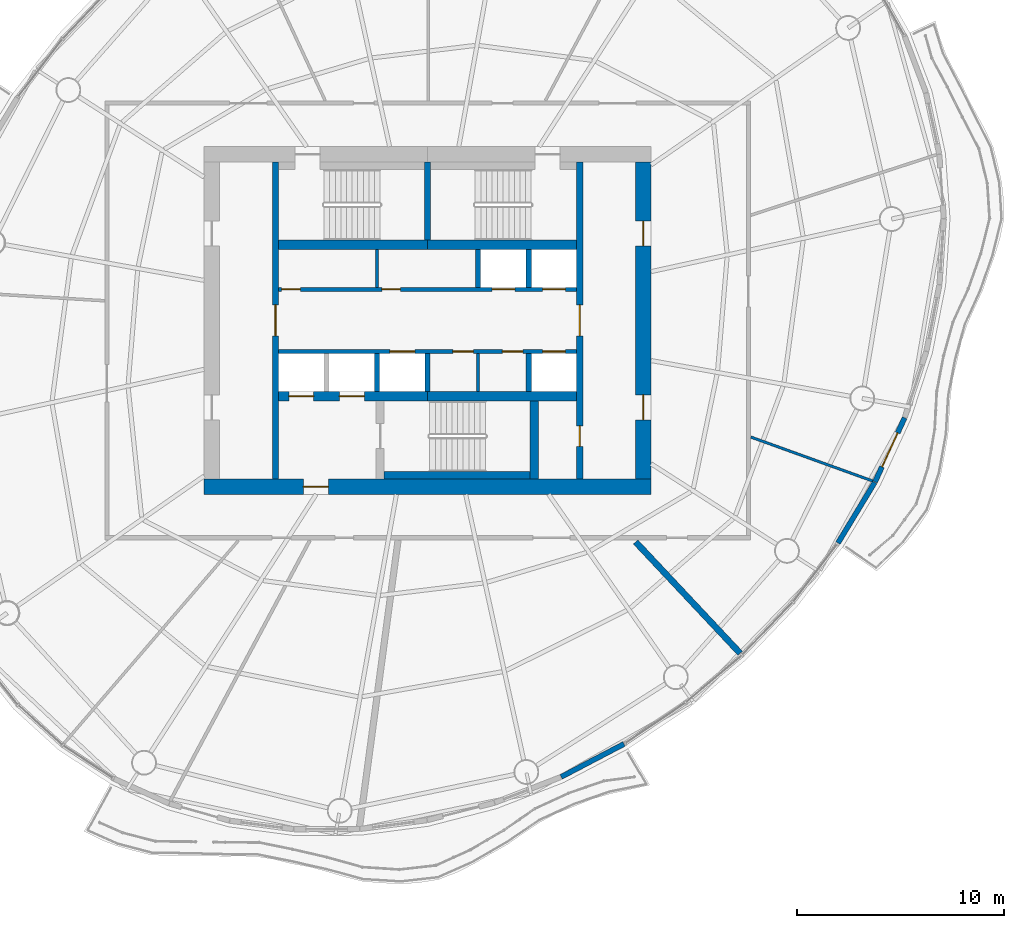
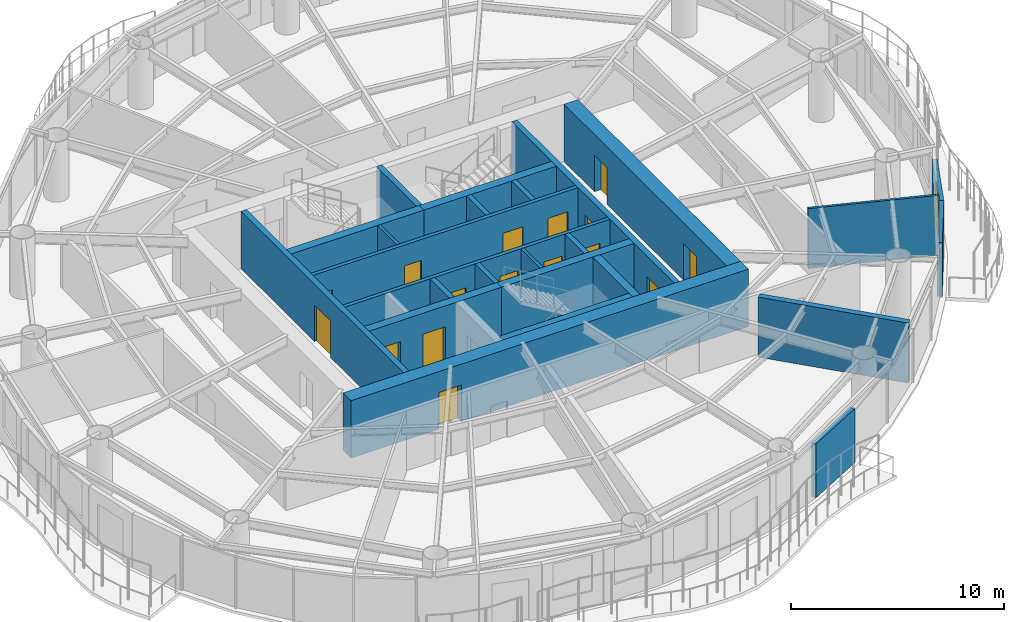
# One storey, part 9 of 14: 25 walls, 17 doors, 17 openings.
"""IFC4 building model written with IfcOpenShell, lengths in metres."""

import ifcopenshell
import ifcopenshell.guid

model = None  # the IFC model being written
_history = None  # IfcOwnerHistory: only IFC2X3 demands one
_inside = {}  # id of a spatial element -> (the spatial element, [elements in it])
_under = {}  # id of a project, library or spatial element -> (it, [spatial elements below it])
_declared = {}  # id of a project -> (the project, [libraries it declares])
_typed = {}  # id of a type object -> (the type object, [elements of that type])
_made_of = {}  # id of a material, layer set ... -> (it, [elements and type objects made of it])


def new_model(schema):
    """Start an empty IFC model of exactly this schema.

    Asked for "IFC4X3", IfcOpenShell would pick the latest addendum, in which some entities
    have other attributes; the version numbers below select the first issue.
    IFC2X3 requires an IfcOwnerHistory on every rooted entity: one is made here for all.
    """
    global model, _history
    if schema == "IFC4X3":
        model = ifcopenshell.file(schema_version=(4, 3, 0, 0))
    else:
        model = ifcopenshell.file(schema=schema)
    _inside.clear()
    _under.clear()
    _declared.clear()
    _typed.clear()
    _made_of.clear()
    _history = None
    if model.schema == "IFC2X3":
        org = make("IfcOrganization", Name="unknown")
        user = make(
            "IfcPersonAndOrganization",
            ThePerson=make("IfcPerson", FamilyName="unknown"),
            TheOrganization=org,
        )
        app = make(
            "IfcApplication",
            ApplicationDeveloper=org,
            Version="unknown",
            ApplicationFullName="unknown",
            ApplicationIdentifier="unknown",
        )
        _history = make(
            "IfcOwnerHistory",
            OwningUser=user,
            OwningApplication=app,
            ChangeAction="ADDED",
            CreationDate=0,
        )
    return model


def make(cls, **values):
    """One entity of the class cls with the attributes given. An attribute that is None is left unset."""
    return model.create_entity(
        cls, **{name: value for name, value in values.items() if value is not None}
    )


def rooted(cls, **values):
    """An entity with a GlobalId (a new one), such as an element, a storey or a relation."""
    return make(cls, GlobalId=ifcopenshell.guid.new(), OwnerHistory=_history, **values)


def si_unit(unit_type, name, prefix=None):
    """IfcSIUnit, for example si_unit("LENGTHUNIT", "METRE", prefix="MILLI")."""
    return make("IfcSIUnit", UnitType=unit_type, Prefix=prefix, Name=name)


def assignment(units):
    """IfcUnitAssignment: the units of a project."""
    return None if units is None else make("IfcUnitAssignment", Units=units)


def point(xyz):
    """IfcCartesianPoint."""
    return None if xyz is None else make("IfcCartesianPoint", Coordinates=xyz)


def direction(xyz):
    """IfcDirection."""
    return None if xyz is None else make("IfcDirection", DirectionRatios=xyz)


def frame(location, z_axis=None, x_axis=None):
    """IfcAxis2Placement3D, a coordinate frame: its origin and axes. An axis left out is left unset."""
    return make(
        "IfcAxis2Placement3D",
        Location=point(location),
        Axis=direction(z_axis),
        RefDirection=direction(x_axis),
    )


def frame_2d(location, x_axis=None):
    """IfcAxis2Placement2D, a coordinate frame in the plane: its origin and x axis."""
    return make(
        "IfcAxis2Placement2D", Location=point(location), RefDirection=direction(x_axis)
    )


def origin():
    """The frame at (0, 0, 0) with its axes left unset."""
    return frame((0.0, 0.0, 0.0))


def place(relative_to, where):
    """IfcLocalPlacement: puts the frame where relative to a parent placement (None: the world)."""
    return make(
        "IfcLocalPlacement", PlacementRelTo=relative_to, RelativePlacement=where
    )


def context(
    kind, dimensions, precision=None, world=None, true_north=None, identifier=None
):
    """IfcGeometricRepresentationContext, for example the 3D "Model" context."""
    return make(
        "IfcGeometricRepresentationContext",
        ContextIdentifier=identifier,
        ContextType=kind,
        CoordinateSpaceDimension=dimensions,
        Precision=precision,
        WorldCoordinateSystem=world,
        TrueNorth=true_north,
    )


def subcontext(parent, identifier, kind, view, scale=None):
    """IfcGeometricRepresentationSubContext, for example "Body" below "Model"."""
    return make(
        "IfcGeometricRepresentationSubContext",
        ContextIdentifier=identifier,
        ContextType=kind,
        ParentContext=parent,
        TargetScale=scale,
        TargetView=view,
    )


def project(units=None, contexts=None):
    """IfcProject with its units and contexts."""
    return rooted(
        "IfcProject",
        Name="project",
        RepresentationContexts=contexts,
        UnitsInContext=assignment(units),
    )


def spatial(cls, under=None, at=None, **own):
    """A site, building, storey or space (cls), placed at a placement, below another one or the project."""
    s = rooted(cls, ObjectPlacement=at, **own)
    if under is not None:
        _under.setdefault(under.id(), (under, []))[1].append(s)
    return s


def profile(cls, at=None, kind="AREA", **sizes):
    """A parametric profile (cls). Its sizes go by their IFC names, for example OverallWidth=200.0."""
    return make(cls, ProfileType=kind, Position=at, **sizes)


def rectangle(**sizes):
    """IfcRectangleProfileDef."""
    return profile("IfcRectangleProfileDef", **sizes)


def extrude(swept, where, along, depth):
    """IfcExtrudedAreaSolid: the profile swept, set in the frame where, extruded along a direction by depth."""
    return make(
        "IfcExtrudedAreaSolid",
        SweptArea=swept,
        Position=where,
        ExtrudedDirection=direction(along),
        Depth=depth,
    )


def shape(context_of_items, identifier, shape_type, items):
    """IfcShapeRepresentation: the items that make up one representation, for example the "Body"."""
    return make(
        "IfcShapeRepresentation",
        ContextOfItems=context_of_items,
        RepresentationIdentifier=identifier,
        RepresentationType=shape_type,
        Items=items,
    )


def material(Name=None, Category=None):
    """IfcMaterial."""
    return make("IfcMaterial", Name=Name, Category=Category)


def layer(
    of_material, thickness, ventilated=None, Name=None, Category=None, Priority=None
):
    """IfcMaterialLayer: one layer of a wall or slab, of a material (None: an air gap)."""
    return make(
        "IfcMaterialLayer",
        Material=of_material,
        LayerThickness=thickness,
        IsVentilated=ventilated,
        Name=Name,
        Category=Category,
        Priority=Priority,
    )


def layer_set(layers, Name=None):
    """IfcMaterialLayerSet."""
    return make("IfcMaterialLayerSet", MaterialLayers=layers, LayerSetName=Name)


def made_of(thing, what):
    """Note that an element or type object is made of a material, layer set ...; save() writes the relation."""
    if what is not None:
        _made_of.setdefault(what.id(), (what, []))[1].append(thing)
    return thing


def type_object(cls, material=None, **own):
    """A type object (cls), such as IfcWallType, which elements share."""
    return made_of(rooted(cls, **own), material)


def element(
    cls,
    number,
    at=None,
    inside=None,
    cuts=None,
    type_object=None,
    material=None,
    context=None,
    identifier="Body",
    shape_type=None,
    held_by="IfcProductDefinitionShape",
    body=None,
    shapes=None,
    **own,
):
    """One element of the class cls, such as IfcWall. Its Tag is "e" and its number.

    at: its placement. inside: the storey or other place that contains it. cuts: it is an
    opening in that element (IfcRelVoidsElement). A single representation is given by context,
    identifier, shape_type and body (its items); several are given by shapes. held_by: the class
    of the entity that holds the representations. save() writes the other relations.
    """
    e = rooted(cls, Tag="e%d" % number, ObjectPlacement=at, **own)
    if body is not None:
        shapes = [shape(context, identifier, shape_type, body)]
    if shapes is not None:
        e.Representation = make(held_by, Representations=shapes)
    if inside is not None:
        _inside.setdefault(inside.id(), (inside, []))[1].append(e)
    if cuts is not None:
        rooted(
            "IfcRelVoidsElement", RelatingBuildingElement=cuts, RelatedOpeningElement=e
        )
    if type_object is not None:
        _typed.setdefault(type_object.id(), (type_object, []))[1].append(e)
    return made_of(e, material)


def fill(opening, filler):
    """IfcRelFillsElement: the door or window that sits in an opening."""
    return rooted(
        "IfcRelFillsElement",
        RelatingOpeningElement=opening,
        RelatedBuildingElement=filler,
    )


def aggregate(whole, parts):
    """IfcRelAggregates: a whole, such as a stair, and the parts it consists of."""
    return rooted("IfcRelAggregates", RelatingObject=whole, RelatedObjects=parts)


def save(model, path):
    """Write the relations noted so far, then the file.

    IfcRelAggregates (storeys below a building ...), IfcRelContainedInSpatialStructure (elements
    in a storey), IfcRelDefinesByType, IfcRelAssociatesMaterial and IfcRelDeclares: one each for
    every whole, place, type object, material and project.
    """
    for whole, parts in _under.values():
        aggregate(whole, parts)
    for where, things in _inside.values():
        rooted(
            "IfcRelContainedInSpatialStructure",
            RelatedElements=things,
            RelatingStructure=where,
        )
    for kind, things in _typed.values():
        rooted("IfcRelDefinesByType", RelatedObjects=things, RelatingType=kind)
    for what, things in _made_of.values():
        rooted("IfcRelAssociatesMaterial", RelatedObjects=things, RelatingMaterial=what)
    for by, libraries in _declared.values():
        rooted("IfcRelDeclares", RelatingContext=by, RelatedDefinitions=libraries)
    model.write(path)


model = new_model("IFC4")

# Units and contexts
model_context = context("Model", 3, precision=1e-05, world=origin(), true_north=direction((0.0, 1.0)))
body_context = subcontext(model_context, "Body", "Model", "MODEL_VIEW")
ifc_project = project(units=[si_unit("LENGTHUNIT", "METRE"), si_unit("AREAUNIT", "SQUARE_METRE"), si_unit("VOLUMEUNIT", "CUBIC_METRE"), si_unit("PLANEANGLEUNIT", "RADIAN"), si_unit("MASSUNIT", "GRAM", prefix="KILO")], contexts=[model_context])

# Site, building, storey
site_placement = place(None, origin())
site = spatial("IfcSite", under=ifc_project, at=site_placement, CompositionType="ELEMENT")
building_placement = place(site_placement, origin())
building = spatial("IfcBuilding", under=site, at=building_placement, Name="Vermilion Reach Broadcast Tower", CompositionType="ELEMENT")
storey_placement = place(building_placement, frame((0.0, 0.0, 206.5)))
storey = spatial("IfcBuildingStorey", under=building, at=storey_placement, Name="L50", CompositionType="ELEMENT", Elevation=206.5)

# Wall, opening, door
ifc_material_1 = material(Name="Concrete C60", Category="concrete")
ifc_layer_1 = layer(ifc_material_1, 0.300048828125)
ifc_layer_set_1 = layer_set([ifc_layer_1], Name="Core inner wall 300 mm Concrete C60")
wall_type_1 = type_object("IfcWallType", Name="Core inner wall 300 mm Concrete C60", PredefinedType="SHEAR", material=ifc_layer_set_1)
wall_1_placement = place(storey_placement, frame((-13.35009765625, 7.64990234375, 0.0), z_axis=(0.0, 0.0, 1.0), x_axis=(0.0, -1.0, 0.0)))
wall_1 = element("IfcWall", 1, at=wall_1_placement, inside=storey, type_object=wall_type_1, Name="L50 core wall ewW", PredefinedType="SHEAR", context=body_context, shape_type="SweptSolid", body=[
    extrude(rectangle(XDim=15.2998046875, YDim=0.300048828125, at=frame_2d((7.64990234375, 0.0))), origin(), (0.0, 0.0, 1.0), 3.300048828125),
])
opening_1_placement = place(wall_1_placement, frame((6.89990234375, 0.0, 0.0)))
opening_1 = element("IfcOpeningElement", 2, at=opening_1_placement, cuts=wall_1, Name="Opening D04", PredefinedType="OPENING", context=body_context, shape_type="SweptSolid", body=[
    extrude(rectangle(XDim=1.5, YDim=2.10009765625, at=frame_2d((0.75, 1.050048828125))), frame((0.0, 0.159912109375, 0.0), z_axis=(0.0, -1.0, 0.0), x_axis=(1.0, 0.0, 0.0)), (0.0, 0.0, 1.0), 0.320068359375),
])
ifc_material_2 = material(Name="Painted steel fire door", Category="steel")
door_type_1 = type_object("IfcDoorType", Name="Lift lobby door 1500 x 2100", OperationType="DOUBLE_DOOR_SINGLE_SWING", PredefinedType="NOTDEFINED", material=ifc_material_2)
door_1_placement = place(opening_1_placement, origin())
door_1 = element("IfcDoor", 3, at=door_1_placement, inside=storey, type_object=door_type_1, Name="L50 band door BW", OperationType="DOUBLE_DOOR_SINGLE_SWING", OverallHeight=2.10009765625, OverallWidth=1.5, PredefinedType="NOTDEFINED", context=body_context, shape_type="SweptSolid", body=[
    extrude(rectangle(XDim=1.5, YDim=2.10009765625, at=frame_2d((0.75, 1.050048828125))), frame((0.0, 0.02490234375, 0.0), z_axis=(0.0, -1.0, 0.0), x_axis=(1.0, 0.0, 0.0)), (0.0, 0.0, 1.0), 0.050048828125),
])
fill(opening_1, door_1)

# Wall, openings, doors
wall_2_placement = place(storey_placement, frame((1.35009765625, -7.64990234375, 0.0), z_axis=(0.0, 0.0, 1.0), x_axis=(0.0, 1.0, 0.0)))
wall_2 = element("IfcWall", 4, at=wall_2_placement, inside=storey, type_object=wall_type_1, Name="L50 core wall ewE", PredefinedType="SHEAR", context=body_context, shape_type="SweptSolid", body=[
    extrude(rectangle(XDim=15.2998046875, YDim=0.300048828125, at=frame_2d((7.64990234375, 0.0))), origin(), (0.0, 0.0, 1.0), 3.300048828125),
])
opening_2_placement = place(wall_2_placement, frame((1.56005859375, 0.0, 0.0)))
opening_2 = element("IfcOpeningElement", 5, at=opening_2_placement, cuts=wall_2, Name="Opening D05", PredefinedType="OPENING", context=body_context, shape_type="SweptSolid", body=[
    extrude(rectangle(XDim=1.0, YDim=2.10009765625, at=frame_2d((0.5, 1.050048828125))), frame((0.0, 0.159912109375, 0.0), z_axis=(0.0, -1.0, 0.0), x_axis=(1.0, 0.0, 0.0)), (0.0, 0.0, 1.0), 0.320068359375),
])
opening_3_placement = place(wall_2_placement, frame((6.89990234375, 0.0, 0.0)))
opening_3 = element("IfcOpeningElement", 6, at=opening_3_placement, cuts=wall_2, Name="Opening D04", PredefinedType="OPENING", context=body_context, shape_type="SweptSolid", body=[
    extrude(rectangle(XDim=1.5, YDim=2.10009765625, at=frame_2d((0.75, 1.050048828125))), frame((0.0, 0.159912109375, 0.0), z_axis=(0.0, -1.0, 0.0), x_axis=(1.0, 0.0, 0.0)), (0.0, 0.0, 1.0), 0.320068359375),
])
door_2_placement = place(opening_3_placement, origin())
door_2 = element("IfcDoor", 7, at=door_2_placement, inside=storey, type_object=door_type_1, Name="L50 band door BE", OperationType="DOUBLE_DOOR_SINGLE_SWING", OverallHeight=2.10009765625, OverallWidth=1.5, PredefinedType="NOTDEFINED", context=body_context, shape_type="SweptSolid", body=[
    extrude(rectangle(XDim=1.5, YDim=2.10009765625, at=frame_2d((0.75, 1.050048828125))), frame((0.0, 0.02490234375, 0.0), z_axis=(0.0, -1.0, 0.0), x_axis=(1.0, 0.0, 0.0)), (0.0, 0.0, 1.0), 0.050048828125),
])
fill(opening_3, door_2)
ifc_material_3 = material(Name="Timber door", Category="wood")
door_type_2 = type_object("IfcDoorType", Name="Room door 1000 x 2100", OperationType="NOTDEFINED", PredefinedType="NOTDEFINED", material=ifc_material_3)
door_3_placement = place(opening_2_placement, origin())
door_3 = element("IfcDoor", 8, at=door_3_placement, inside=storey, type_object=door_type_2, Name="L50 door SER", OperationType="SINGLE_SWING_LEFT", OverallHeight=2.10009765625, OverallWidth=1.0, PredefinedType="NOTDEFINED", context=body_context, shape_type="SweptSolid", body=[
    extrude(rectangle(XDim=1.0, YDim=2.10009765625, at=frame_2d((0.5, 1.050048828125))), frame((0.0, 0.02490234375, 0.0), z_axis=(0.0, -1.0, 0.0), x_axis=(1.0, 0.0, 0.0)), (0.0, 0.0, 1.0), 0.050048828125),
])
fill(opening_2, door_3)

# Walls
wall_3_placement = place(storey_placement, frame((-6.0, 3.8798828125, 0.0), z_axis=(0.0, 0.0, 1.0), x_axis=(0.0, 1.0, 0.0)))
element("IfcWall", 9, at=wall_3_placement, inside=storey, type_object=wall_type_1, Name="L50 core wall wc", PredefinedType="SHEAR", context=body_context, shape_type="SweptSolid", body=[
    extrude(rectangle(XDim=3.77001953125, YDim=0.300048828125, at=frame_2d((1.885009765625, 0.0))), origin(), (0.0, 0.0, 1.0), 3.300048828125),
])
ifc_material_4 = material(Name="Concrete C60", Category="concrete")
ifc_layer_2 = layer(ifc_material_4, 0.39990234375)
ifc_layer_set_2 = layer_set([ifc_layer_2], Name="Core inner wall 400 mm Concrete C60")
wall_type_2 = type_object("IfcWallType", Name="Core inner wall 400 mm Concrete C60", PredefinedType="SHEAR", material=ifc_layer_set_2)
wall_4_placement = place(storey_placement, frame((-0.85009765625, -3.8798828125, 0.0), z_axis=(0.0, 0.0, 1.0), x_axis=(0.0, -1.0, 0.0)))
element("IfcWall", 10, at=wall_4_placement, inside=storey, type_object=wall_type_2, Name="L50 core wall wb", PredefinedType="SHEAR", context=body_context, shape_type="SweptSolid", body=[
    extrude(rectangle(XDim=3.77001953125, YDim=0.39990234375, at=frame_2d((1.885009765625, 0.0))), origin(), (0.0, 0.0, 1.0), 3.300048828125),
])
ifc_material_5 = material(Name="Concrete C60", Category="concrete")
ifc_layer_3 = layer(ifc_material_5, 0.449951171875)
ifc_layer_set_3 = layer_set([ifc_layer_3], Name="Core inner wall 450 mm Concrete C60")
wall_type_3 = type_object("IfcWallType", Name="Core inner wall 450 mm Concrete C60", PredefinedType="SHEAR", material=ifc_layer_set_3)
for number, where, z_axis, x_axis, name in (
    (11, (-13.199951171875, 3.655029296875, 0.0), (0.0, 0.0, 1.0), (1.0, 0.0, 0.0), "L50 core wall winW"),
    (12, (-6.0, 3.655029296875, 0.0), (0.0, 0.0, 1.0), (1.0, 0.0, 0.0), "L50 core wall winE"),
):
    element("IfcWall", number, at=place(storey_placement, frame(where, z_axis=z_axis, x_axis=x_axis)), inside=storey, type_object=wall_type_3, Name=name, PredefinedType="SHEAR", context=body_context, shape_type="SweptSolid", body=[
        extrude(rectangle(XDim=7.199951171875, YDim=0.449951171875, at=frame_2d((3.60009765625, 0.0))), origin(), (0.0, 0.0, 1.0), 3.300048828125),
    ])

# Wall, openings, doors
wall_5_placement = place(storey_placement, frame((-13.199951171875, -3.655029296875, 0.0), z_axis=(0.0, 0.0, 1.0), x_axis=(1.0, 0.0, 0.0)))
wall_5 = element("IfcWall", 13, at=wall_5_placement, inside=storey, type_object=wall_type_3, Name="L50 core wall wisW", PredefinedType="SHEAR", context=body_context, shape_type="SweptSolid", body=[
    extrude(rectangle(XDim=7.199951171875, YDim=0.449951171875, at=frame_2d((3.60009765625, 0.0))), origin(), (0.0, 0.0, 1.0), 3.300048828125),
])
opening_4_placement = place(wall_5_placement, frame((0.495849609375, 0.0, 0.0)))
opening_4 = element("IfcOpeningElement", 14, at=opening_4_placement, cuts=wall_5, Name="Opening LD1", PredefinedType="OPENING", context=body_context, shape_type="SweptSolid", body=[
    extrude(rectangle(XDim=1.199951171875, YDim=2.10009765625, at=frame_2d((0.60009765625, 1.050048828125))), frame((0.0, 0.23486328125, 0.0), z_axis=(0.0, -1.0, 0.0), x_axis=(1.0, 0.0, 0.0)), (0.0, 0.0, 1.0), 0.469970703125),
])
opening_5_placement = place(wall_5_placement, frame((2.9375, 0.0, 0.0)))
opening_5 = element("IfcOpeningElement", 15, at=opening_5_placement, cuts=wall_5, Name="Opening LD1", PredefinedType="OPENING", context=body_context, shape_type="SweptSolid", body=[
    extrude(rectangle(XDim=1.199951171875, YDim=2.10009765625, at=frame_2d((0.60009765625, 1.050048828125))), frame((0.0, 0.23486328125, 0.0), z_axis=(0.0, -1.0, 0.0), x_axis=(1.0, 0.0, 0.0)), (0.0, 0.0, 1.0), 0.469970703125),
])
ifc_material_6 = material(Name="Stainless steel", Category="steel")
door_type_3 = type_object("IfcDoorType", Name="Landing door 1200 x 2100", OperationType="DOUBLE_DOOR_SLIDING", PredefinedType="NOTDEFINED", material=ifc_material_6)
door_4_placement = place(opening_4_placement, origin())
door_4 = element("IfcDoor", 16, at=door_4_placement, inside=storey, type_object=door_type_3, Name="L50 landing door FF1", OperationType="DOUBLE_DOOR_SLIDING", OverallHeight=2.10009765625, OverallWidth=1.199951171875, PredefinedType="NOTDEFINED", context=body_context, shape_type="SweptSolid", body=[
    extrude(rectangle(XDim=1.199951171875, YDim=2.10009765625, at=frame_2d((0.60009765625, 1.050048828125))), frame((0.0, 0.02490234375, 0.0), z_axis=(0.0, -1.0, 0.0), x_axis=(1.0, 0.0, 0.0)), (0.0, 0.0, 1.0), 0.050048828125),
])
fill(opening_4, door_4)
door_5_placement = place(opening_5_placement, origin())
door_5 = element("IfcDoor", 17, at=door_5_placement, inside=storey, type_object=door_type_3, Name="L50 landing door FF2", OperationType="DOUBLE_DOOR_SLIDING", OverallHeight=2.10009765625, OverallWidth=1.199951171875, PredefinedType="NOTDEFINED", context=body_context, shape_type="SweptSolid", body=[
    extrude(rectangle(XDim=1.199951171875, YDim=2.10009765625, at=frame_2d((0.60009765625, 1.050048828125))), frame((0.0, 0.02490234375, 0.0), z_axis=(0.0, -1.0, 0.0), x_axis=(1.0, 0.0, 0.0)), (0.0, 0.0, 1.0), 0.050048828125),
])
fill(opening_5, door_5)

# Wall
wall_6_placement = place(storey_placement, frame((-6.0, -3.655029296875, 0.0), z_axis=(0.0, 0.0, 1.0), x_axis=(1.0, 0.0, 0.0)))
element("IfcWall", 18, at=wall_6_placement, inside=storey, type_object=wall_type_3, Name="L50 core wall wisE", PredefinedType="SHEAR", context=body_context, shape_type="SweptSolid", body=[
    extrude(rectangle(XDim=7.199951171875, YDim=0.449951171875, at=frame_2d((3.60009765625, 0.0))), origin(), (0.0, 0.0, 1.0), 3.300048828125),
])

# Wall, opening, door
ifc_material_7 = material(Name="Concrete C60", Category="concrete")
ifc_layer_4 = layer(ifc_material_7, 0.75)
ifc_layer_set_4 = layer_set([ifc_layer_4], Name="Core outer wall 750 mm Concrete C60")
wall_type_4 = type_object("IfcWallType", Name="Core outer wall 750 mm Concrete C60", PredefinedType="SHEAR", material=ifc_layer_set_4)
wall_7_placement = place(storey_placement, frame((-16.800048828125, -8.02490234375, 0.0), z_axis=(0.0, 0.0, 1.0), x_axis=(1.0, 0.0, 0.0)))
wall_7 = element("IfcWall", 19, at=wall_7_placement, inside=storey, type_object=wall_type_4, Name="L50 core wall os", PredefinedType="SHEAR", context=body_context, shape_type="SweptSolid", body=[
    extrude(rectangle(XDim=21.60009765625, YDim=0.75, at=frame_2d((10.800048828125, 0.0))), origin(), (0.0, 0.0, 1.0), 3.300048828125),
])
opening_6_placement = place(wall_7_placement, frame((4.800048828125, 0.0, 0.0)))
opening_6 = element("IfcOpeningElement", 20, at=opening_6_placement, cuts=wall_7, Name="Opening D02", PredefinedType="OPENING", context=body_context, shape_type="SweptSolid", body=[
    extrude(rectangle(XDim=1.199951171875, YDim=2.10009765625, at=frame_2d((0.60009765625, 1.050048828125))), frame((0.0, 0.385009765625, 0.0), z_axis=(0.0, -1.0, 0.0), x_axis=(1.0, 0.0, 0.0)), (0.0, 0.0, 1.0), 0.77001953125),
])
ifc_material_8 = material(Name="Painted steel fire door", Category="steel")
door_type_4 = type_object("IfcDoorType", Name="Firefighting lobby door 1200 x 2100", OperationType="DOUBLE_DOOR_SINGLE_SWING", PredefinedType="NOTDEFINED", material=ifc_material_8)
door_6_placement = place(opening_6_placement, origin())
door_6 = element("IfcDoor", 21, at=door_6_placement, inside=storey, type_object=door_type_4, Name="L50 ffdoor door FFL", OperationType="DOUBLE_DOOR_SINGLE_SWING", OverallHeight=2.10009765625, OverallWidth=1.199951171875, PredefinedType="NOTDEFINED", context=body_context, shape_type="SweptSolid", body=[
    extrude(rectangle(XDim=1.199951171875, YDim=2.10009765625, at=frame_2d((0.60009765625, 1.050048828125))), frame((0.0, 0.02490234375, 0.0), z_axis=(0.0, -1.0, 0.0), x_axis=(1.0, 0.0, 0.0)), (0.0, 0.0, 1.0), 0.050048828125),
])
fill(opening_6, door_6)

# Wall, openings, doors
wall_8_placement = place(storey_placement, frame((4.425048828125, -7.64990234375, 0.0), z_axis=(0.0, 0.0, 1.0), x_axis=(0.0, 1.0, 0.0)))
wall_8 = element("IfcWall", 22, at=wall_8_placement, inside=storey, type_object=wall_type_4, Name="L50 core wall oe", PredefinedType="SHEAR", context=body_context, shape_type="SweptSolid", body=[
    extrude(rectangle(XDim=15.2998046875, YDim=0.75, at=frame_2d((7.64990234375, 0.0))), origin(), (0.0, 0.0, 1.0), 3.300048828125),
])
opening_7_placement = place(wall_8_placement, frame((2.85009765625, 0.0, 0.0)))
opening_7 = element("IfcOpeningElement", 23, at=opening_7_placement, cuts=wall_8, Name="Opening D03", PredefinedType="OPENING", context=body_context, shape_type="SweptSolid", body=[
    extrude(rectangle(XDim=1.199951171875, YDim=2.10009765625, at=frame_2d((0.60009765625, 1.050048828125))), frame((0.0, 0.385009765625, 0.0), z_axis=(0.0, -1.0, 0.0), x_axis=(1.0, 0.0, 0.0)), (0.0, 0.0, 1.0), 0.77001953125),
])
opening_8_placement = place(wall_8_placement, frame((11.25, 0.0, 0.0)))
opening_8 = element("IfcOpeningElement", 24, at=opening_8_placement, cuts=wall_8, Name="Opening D03", PredefinedType="OPENING", context=body_context, shape_type="SweptSolid", body=[
    extrude(rectangle(XDim=1.199951171875, YDim=2.10009765625, at=frame_2d((0.60009765625, 1.050048828125))), frame((0.0, 0.385009765625, 0.0), z_axis=(0.0, -1.0, 0.0), x_axis=(1.0, 0.0, 0.0)), (0.0, 0.0, 1.0), 0.77001953125),
])
ifc_material_9 = material(Name="Painted steel fire door", Category="steel")
door_type_5 = type_object("IfcDoorType", Name="Core lobby door 1200 x 2100", OperationType="DOUBLE_DOOR_SINGLE_SWING", PredefinedType="NOTDEFINED", material=ifc_material_9)
door_7_placement = place(opening_7_placement, origin())
door_7 = element("IfcDoor", 25, at=door_7_placement, inside=storey, type_object=door_type_5, Name="L50 slot door E0", OperationType="DOUBLE_DOOR_SINGLE_SWING", OverallHeight=2.10009765625, OverallWidth=1.199951171875, PredefinedType="NOTDEFINED", context=body_context, shape_type="SweptSolid", body=[
    extrude(rectangle(XDim=1.199951171875, YDim=2.10009765625, at=frame_2d((0.60009765625, 1.050048828125))), frame((0.0, 0.02490234375, 0.0), z_axis=(0.0, -1.0, 0.0), x_axis=(1.0, 0.0, 0.0)), (0.0, 0.0, 1.0), 0.050048828125),
])
fill(opening_7, door_7)
door_8_placement = place(opening_8_placement, origin())
door_8 = element("IfcDoor", 26, at=door_8_placement, inside=storey, type_object=door_type_5, Name="L50 slot door E1", OperationType="DOUBLE_DOOR_SINGLE_SWING", OverallHeight=2.10009765625, OverallWidth=1.199951171875, PredefinedType="NOTDEFINED", context=body_context, shape_type="SweptSolid", body=[
    extrude(rectangle(XDim=1.199951171875, YDim=2.10009765625, at=frame_2d((0.60009765625, 1.050048828125))), frame((0.0, 0.02490234375, 0.0), z_axis=(0.0, -1.0, 0.0), x_axis=(1.0, 0.0, 0.0)), (0.0, 0.0, 1.0), 0.050048828125),
])
fill(opening_8, door_8)

# Walls
ifc_material_10 = material(Name="Masonry block", Category="masonry")
ifc_layer_5 = layer(ifc_material_10, 0.14990234375)
ifc_layer_set_5 = layer_set([ifc_layer_5], Name="Core partition wall 150 mm Masonry block")
wall_type_5 = type_object("IfcWallType", Name="Core partition wall 150 mm Masonry block", PredefinedType="PARTITIONING", material=ifc_layer_set_5)
for number, where, z_axis, x_axis, name in (
    (27, (-8.441650390625, 1.60009765625, 0.0), (0.0, 0.0, 1.0), (0.0, 1.0, 0.0), "L50 core wall prN-2442"),
    (28, (-3.558349609375, -1.60009765625, 0.0), (0.0, 0.0, 1.0), (0.0, -1.0, 0.0), "L50 core wall prS2442"),
):
    element("IfcWall", number, at=place(storey_placement, frame(where, z_axis=z_axis, x_axis=x_axis)), inside=storey, type_object=wall_type_5, Name=name, PredefinedType="PARTITIONING", context=body_context, shape_type="SweptSolid", body=[
        extrude(rectangle(XDim=1.829833984375, YDim=0.14990234375, at=frame_2d((0.9150390625, 0.0))), origin(), (0.0, 0.0, 1.0), 3.300048828125),
    ])

# Wall, openings, doors
ifc_material_11 = material(Name="Concrete C50", Category="concrete")
ifc_layer_6 = layer(ifc_material_11, 0.199951171875)
ifc_layer_set_6 = layer_set([ifc_layer_6], Name="Core shaft wall 200 mm Concrete C50")
wall_type_6 = type_object("IfcWallType", Name="Core shaft wall 200 mm Concrete C50", PredefinedType="SHEAR", material=ifc_layer_set_6)
wall_9_placement = place(storey_placement, frame((-13.199951171875, 1.5, 0.0), z_axis=(0.0, 0.0, 1.0), x_axis=(1.0, 0.0, 0.0)))
wall_9 = element("IfcWall", 29, at=wall_9_placement, inside=storey, type_object=wall_type_6, Name="L50 core wall fn", PredefinedType="SHEAR", context=body_context, shape_type="SweptSolid", body=[
    extrude(rectangle(XDim=14.39990234375, YDim=0.199951171875, at=frame_2d((7.199951171875, 0.0))), origin(), (0.0, 0.0, 1.0), 3.300048828125),
])
opening_9_placement = place(wall_9_placement, frame((10.3125, 0.0, 0.0)))
opening_9 = element("IfcOpeningElement", 30, at=opening_9_placement, cuts=wall_9, Name="Opening LD2", PredefinedType="OPENING", context=body_context, shape_type="SweptSolid", body=[
    extrude(rectangle(XDim=1.10009765625, YDim=2.10009765625, at=frame_2d((0.550048828125, 1.050048828125))), frame((0.0, 0.10986328125, 0.0), z_axis=(0.0, -1.0, 0.0), x_axis=(1.0, 0.0, 0.0)), (0.0, 0.0, 1.0), 0.219970703125),
])
opening_10_placement = place(wall_9_placement, frame((12.754150390625, 0.0, 0.0)))
opening_10 = element("IfcOpeningElement", 31, at=opening_10_placement, cuts=wall_9, Name="Opening LD2", PredefinedType="OPENING", context=body_context, shape_type="SweptSolid", body=[
    extrude(rectangle(XDim=1.10009765625, YDim=2.10009765625, at=frame_2d((0.550048828125, 1.050048828125))), frame((0.0, 0.10986328125, 0.0), z_axis=(0.0, -1.0, 0.0), x_axis=(1.0, 0.0, 0.0)), (0.0, 0.0, 1.0), 0.219970703125),
])
opening_11_placement = place(wall_9_placement, frame((0.14990234375, 0.0, 0.0)))
opening_11 = element("IfcOpeningElement", 32, at=opening_11_placement, cuts=wall_9, Name="Opening D06", PredefinedType="OPENING", context=body_context, shape_type="SweptSolid", body=[
    extrude(rectangle(XDim=0.89990234375, YDim=2.10009765625, at=frame_2d((0.449951171875, 1.050048828125))), frame((0.0, 0.10986328125, 0.0), z_axis=(0.0, -1.0, 0.0), x_axis=(1.0, 0.0, 0.0)), (0.0, 0.0, 1.0), 0.219970703125),
])
opening_12_placement = place(wall_9_placement, frame((4.9833984375, 0.0, 0.0)))
opening_12 = element("IfcOpeningElement", 33, at=opening_12_placement, cuts=wall_9, Name="Opening D06", PredefinedType="OPENING", context=body_context, shape_type="SweptSolid", body=[
    extrude(rectangle(XDim=0.89990234375, YDim=2.10009765625, at=frame_2d((0.449951171875, 1.050048828125))), frame((0.0, 0.10986328125, 0.0), z_axis=(0.0, -1.0, 0.0), x_axis=(1.0, 0.0, 0.0)), (0.0, 0.0, 1.0), 0.219970703125),
])
ifc_material_12 = material(Name="Stainless steel", Category="steel")
door_type_6 = type_object("IfcDoorType", Name="Landing door 1100 x 2100", OperationType="DOUBLE_DOOR_SLIDING", PredefinedType="NOTDEFINED", material=ifc_material_12)
door_9_placement = place(opening_9_placement, origin())
door_9 = element("IfcDoor", 34, at=door_9_placement, inside=storey, type_object=door_type_6, Name="L50 landing door HR1", OperationType="DOUBLE_DOOR_SLIDING", OverallHeight=2.10009765625, OverallWidth=1.10009765625, PredefinedType="NOTDEFINED", context=body_context, shape_type="SweptSolid", body=[
    extrude(rectangle(XDim=1.10009765625, YDim=2.10009765625, at=frame_2d((0.550048828125, 1.050048828125))), frame((0.0, 0.02490234375, 0.0), z_axis=(0.0, -1.0, 0.0), x_axis=(1.0, 0.0, 0.0)), (0.0, 0.0, 1.0), 0.050048828125),
])
fill(opening_9, door_9)
door_10_placement = place(opening_10_placement, origin())
door_10 = element("IfcDoor", 35, at=door_10_placement, inside=storey, type_object=door_type_6, Name="L50 landing door HR2", OperationType="DOUBLE_DOOR_SLIDING", OverallHeight=2.10009765625, OverallWidth=1.10009765625, PredefinedType="NOTDEFINED", context=body_context, shape_type="SweptSolid", body=[
    extrude(rectangle(XDim=1.10009765625, YDim=2.10009765625, at=frame_2d((0.550048828125, 1.050048828125))), frame((0.0, 0.02490234375, 0.0), z_axis=(0.0, -1.0, 0.0), x_axis=(1.0, 0.0, 0.0)), (0.0, 0.0, 1.0), 0.050048828125),
])
fill(opening_10, door_10)
ifc_material_13 = material(Name="Timber door", Category="wood")
door_type_7 = type_object("IfcDoorType", Name="WC door 900 x 2100", OperationType="NOTDEFINED", PredefinedType="NOTDEFINED", material=ifc_material_13)
door_11_placement = place(opening_11_placement, origin())
door_11 = element("IfcDoor", 36, at=door_11_placement, inside=storey, type_object=door_type_7, Name="L50 door Female WC", OperationType="SINGLE_SWING_LEFT", OverallHeight=2.10009765625, OverallWidth=0.89990234375, PredefinedType="NOTDEFINED", context=body_context, shape_type="SweptSolid", body=[
    extrude(rectangle(XDim=0.89990234375, YDim=2.10009765625, at=frame_2d((0.449951171875, 1.050048828125))), frame((0.0, 0.02490234375, 0.0), z_axis=(0.0, -1.0, 0.0), x_axis=(1.0, 0.0, 0.0)), (0.0, 0.0, 1.0), 0.050048828125),
])
fill(opening_11, door_11)
door_12_placement = place(opening_12_placement, origin())
door_12 = element("IfcDoor", 37, at=door_12_placement, inside=storey, type_object=door_type_7, Name="L50 door Male WC", OperationType="SINGLE_SWING_LEFT", OverallHeight=2.10009765625, OverallWidth=0.89990234375, PredefinedType="NOTDEFINED", context=body_context, shape_type="SweptSolid", body=[
    extrude(rectangle(XDim=0.89990234375, YDim=2.10009765625, at=frame_2d((0.449951171875, 1.050048828125))), frame((0.0, 0.02490234375, 0.0), z_axis=(0.0, -1.0, 0.0), x_axis=(1.0, 0.0, 0.0)), (0.0, 0.0, 1.0), 0.050048828125),
])
fill(opening_12, door_12)

wall_10_placement = place(storey_placement, frame((1.199951171875, -1.5, 0.0), z_axis=(0.0, 0.0, 1.0), x_axis=(-1.0, 0.0, 0.0)))
wall_10 = element("IfcWall", 38, at=wall_10_placement, inside=storey, type_object=wall_type_6, Name="L50 core wall fs", PredefinedType="SHEAR", context=body_context, shape_type="SweptSolid", body=[
    extrude(rectangle(XDim=14.39990234375, YDim=0.199951171875, at=frame_2d((7.199951171875, 0.0))), origin(), (0.0, 0.0, 1.0), 3.300048828125),
])
opening_13_placement = place(wall_10_placement, frame((7.82080078125, 0.0, 0.0)))
opening_13 = element("IfcOpeningElement", 39, at=opening_13_placement, cuts=wall_10, Name="Opening LD1", PredefinedType="OPENING", context=body_context, shape_type="SweptSolid", body=[
    extrude(rectangle(XDim=1.199951171875, YDim=2.10009765625, at=frame_2d((0.60009765625, 1.050048828125))), frame((0.0, 0.10986328125, 0.0), z_axis=(0.0, -1.0, 0.0), x_axis=(1.0, 0.0, 0.0)), (0.0, 0.0, 1.0), 0.219970703125),
])
opening_14_placement = place(wall_10_placement, frame((0.5458984375, 0.0, 0.0)))
opening_14 = element("IfcOpeningElement", 40, at=opening_14_placement, cuts=wall_10, Name="Opening LD2", PredefinedType="OPENING", context=body_context, shape_type="SweptSolid", body=[
    extrude(rectangle(XDim=1.10009765625, YDim=2.10009765625, at=frame_2d((0.550048828125, 1.050048828125))), frame((0.0, 0.10986328125, 0.0), z_axis=(0.0, -1.0, 0.0), x_axis=(1.0, 0.0, 0.0)), (0.0, 0.0, 1.0), 0.219970703125),
])
opening_15_placement = place(wall_10_placement, frame((4.9833984375, 0.0, 0.0)))
opening_15 = element("IfcOpeningElement", 41, at=opening_15_placement, cuts=wall_10, Name="Opening D07", PredefinedType="OPENING", context=body_context, shape_type="SweptSolid", body=[
    extrude(rectangle(XDim=1.0, YDim=2.10009765625, at=frame_2d((0.5, 1.050048828125))), frame((0.0, 0.10986328125, 0.0), z_axis=(0.0, -1.0, 0.0), x_axis=(1.0, 0.0, 0.0)), (0.0, 0.0, 1.0), 0.219970703125),
])
opening_16_placement = place(wall_10_placement, frame((2.591552734375, 0.0, 0.0)))
opening_16 = element("IfcOpeningElement", 42, at=opening_16_placement, cuts=wall_10, Name="Opening D10", PredefinedType="OPENING", context=body_context, shape_type="SweptSolid", body=[
    extrude(rectangle(XDim=1.0, YDim=2.10009765625, at=frame_2d((0.5, 1.050048828125))), frame((0.0, 0.10986328125, 0.0), z_axis=(0.0, -1.0, 0.0), x_axis=(1.0, 0.0, 0.0)), (0.0, 0.0, 1.0), 0.219970703125),
])
ifc_material_14 = material(Name="Timber door", Category="wood")
door_type_8 = type_object("IfcDoorType", Name="Accessible WC door 1000 x 2100", OperationType="NOTDEFINED", PredefinedType="NOTDEFINED", material=ifc_material_14)
door_13_placement = place(opening_15_placement, origin())
door_13 = element("IfcDoor", 43, at=door_13_placement, inside=storey, type_object=door_type_8, Name="L50 door Accessible WC", OperationType="SINGLE_SWING_LEFT", OverallHeight=2.10009765625, OverallWidth=1.0, PredefinedType="NOTDEFINED", context=body_context, shape_type="SweptSolid", body=[
    extrude(rectangle(XDim=1.0, YDim=2.10009765625, at=frame_2d((0.5, 1.050048828125))), frame((0.0, 0.02490234375, 0.0), z_axis=(0.0, -1.0, 0.0), x_axis=(1.0, 0.0, 0.0)), (0.0, 0.0, 1.0), 0.050048828125),
])
fill(opening_15, door_13)
door_14_placement = place(opening_14_placement, origin())
door_14 = element("IfcDoor", 44, at=door_14_placement, inside=storey, type_object=door_type_6, Name="L50 landing door HR3", OperationType="DOUBLE_DOOR_SLIDING", OverallHeight=2.10009765625, OverallWidth=1.10009765625, PredefinedType="NOTDEFINED", context=body_context, shape_type="SweptSolid", body=[
    extrude(rectangle(XDim=1.10009765625, YDim=2.10009765625, at=frame_2d((0.550048828125, 1.050048828125))), frame((0.0, 0.02490234375, 0.0), z_axis=(0.0, -1.0, 0.0), x_axis=(1.0, 0.0, 0.0)), (0.0, 0.0, 1.0), 0.050048828125),
])
fill(opening_14, door_14)
door_15_placement = place(opening_13_placement, origin())
door_15 = element("IfcDoor", 45, at=door_15_placement, inside=storey, type_object=door_type_3, Name="L50 landing door SV1", OperationType="DOUBLE_DOOR_SLIDING", OverallHeight=2.10009765625, OverallWidth=1.199951171875, PredefinedType="NOTDEFINED", context=body_context, shape_type="SweptSolid", body=[
    extrude(rectangle(XDim=1.199951171875, YDim=2.10009765625, at=frame_2d((0.60009765625, 1.050048828125))), frame((0.0, 0.02490234375, 0.0), z_axis=(0.0, -1.0, 0.0), x_axis=(1.0, 0.0, 0.0)), (0.0, 0.0, 1.0), 0.050048828125),
])
fill(opening_13, door_15)
ifc_material_15 = material(Name="Timber door", Category="wood")
door_type_9 = type_object("IfcDoorType", Name="WC lobby door 1000 x 2100", OperationType="NOTDEFINED", PredefinedType="NOTDEFINED", material=ifc_material_15)
door_16_placement = place(opening_16_placement, origin())
door_16 = element("IfcDoor", 46, at=door_16_placement, inside=storey, type_object=door_type_9, Name="L50 door WC lobby", OperationType="SINGLE_SWING_LEFT", OverallHeight=2.10009765625, OverallWidth=1.0, PredefinedType="NOTDEFINED", context=body_context, shape_type="SweptSolid", body=[
    extrude(rectangle(XDim=1.0, YDim=2.10009765625, at=frame_2d((0.5, 1.050048828125))), frame((0.0, 0.02490234375, 0.0), z_axis=(0.0, -1.0, 0.0), x_axis=(1.0, 0.0, 0.0)), (0.0, 0.0, 1.0), 0.050048828125),
])
fill(opening_16, door_16)

# Walls
ifc_material_16 = material(Name="Concrete C50", Category="concrete")
ifc_layer_7 = layer(ifc_material_16, 0.25)
ifc_layer_set_7 = layer_set([ifc_layer_7], Name="Core shaft wall 250 mm Concrete C50")
wall_type_7 = type_object("IfcWallType", Name="Core shaft wall 250 mm Concrete C50", PredefinedType="SHEAR", material=ifc_layer_set_7)
for number, where, z_axis, x_axis, name in (
    (47, (-3.558349609375, 1.60009765625, 0.0), (0.0, 0.0, 1.0), (0.0, 1.0, 0.0), "L50 core wall psN3"),
    (48, (-1.11669921875, 1.60009765625, 0.0), (0.0, 0.0, 1.0), (0.0, 1.0, 0.0), "L50 core wall psN4"),
    (49, (-8.441650390625, -1.60009765625, 0.0), (0.0, 0.0, 1.0), (0.0, -1.0, 0.0), "L50 core wall psS1"),
    (50, (-6.0, -1.60009765625, 0.0), (0.0, 0.0, 1.0), (0.0, -1.0, 0.0), "L50 core wall psS2"),
    (51, (-1.11669921875, -1.60009765625, 0.0), (0.0, 0.0, 1.0), (0.0, -1.0, 0.0), "L50 core wall psS4"),
):
    element("IfcWall", number, at=place(storey_placement, frame(where, z_axis=z_axis, x_axis=x_axis)), inside=storey, type_object=wall_type_7, Name=name, PredefinedType="SHEAR", context=body_context, shape_type="SweptSolid", body=[
        extrude(rectangle(XDim=1.829833984375, YDim=0.25, at=frame_2d((0.9150390625, 0.0))), origin(), (0.0, 0.0, 1.0), 3.300048828125),
    ])
ifc_material_17 = material(Name="Concrete C60", Category="concrete")
ifc_layer_8 = layer(ifc_material_17, 0.35009765625)
ifc_layer_set_8 = layer_set([ifc_layer_8], Name="Core stair wall 350 mm Concrete C60")
wall_type_8 = type_object("IfcWallType", Name="Core stair wall 350 mm Concrete C60", PredefinedType="SHEAR", material=ifc_layer_set_8)
wall_11_placement = place(storey_placement, frame((-8.10009765625, -7.47509765625, 0.0), z_axis=(0.0, 0.0, 1.0), x_axis=(1.0, 0.0, 0.0)))
element("IfcWall", 52, at=wall_11_placement, inside=storey, type_object=wall_type_8, Name="L50 core wall l3", PredefinedType="SHEAR", context=body_context, shape_type="SweptSolid", body=[
    extrude(rectangle(XDim=7.050048828125, YDim=0.35009765625, at=frame_2d((3.52490234375, 0.0))), origin(), (0.0, 0.0, 1.0), 3.300048828125),
])
ifc_material_18 = material(Name="Fire-rated plasterboard on steel stud", Category="steel")
ifc_layer_9 = layer(ifc_material_18, 0.125)
ifc_layer_set_9 = layer_set([ifc_layer_9], Name="Partition 125 fire-rated stud")
wall_type_9 = type_object("IfcWallType", Name="Partition 125 fire-rated stud", PredefinedType="PARTITIONING", material=ifc_layer_set_9)
wall_12_placement = place(storey_placement, frame((15.501220703125, -7.755615234375, 0.0), z_axis=(0.0, 0.0, 1.0), x_axis=(-0.940683105583, 0.339286449583, 0.0)))
element("IfcWall", 53, at=wall_12_placement, inside=storey, type_object=wall_type_9, Name="Partition 50.09", PredefinedType="PARTITIONING", context=body_context, shape_type="SweptSolid", body=[
    extrude(rectangle(XDim=6.2509765625, YDim=0.125, at=frame_2d((3.12548828125, 0.0))), origin(), (0.0, 0.0, 1.0), 3.449951171875),
])
ifc_material_19 = material(Name="Double-leaf plasterboard on isolated steel stud", Category="steel")
ifc_layer_10 = layer(ifc_material_19, 0.300048828125)
ifc_layer_set_10 = layer_set([ifc_layer_10], Name="Partition 300 acoustic double leaf")
wall_type_10 = type_object("IfcWallType", Name="Partition 300 acoustic double leaf", PredefinedType="PARTITIONING", material=ifc_layer_set_10)
wall_13_placement = place(storey_placement, frame((9.10205078125, -16.08203125, 0.0), z_axis=(0.0, 0.0, 1.0), x_axis=(-0.684541774507, 0.728973633923, 0.0)))
element("IfcWall", 54, at=wall_13_placement, inside=storey, type_object=wall_type_10, Name="Partition 50.08", PredefinedType="PARTITIONING", context=body_context, shape_type="SweptSolid", body=[
    extrude(rectangle(XDim=7.37939453125, YDim=0.300048828125, at=frame_2d((3.689697265625, 0.0))), origin(), (0.0, 0.0, 1.0), 3.449951171875),
])
ifc_material_20 = material(Name="Terracotta rainscreen cladding", Category="masonry")
ifc_layer_11 = layer(ifc_material_20, 0.25)
ifc_layer_set_11 = layer_set([ifc_layer_11], Name="Terracotta rainscreen wall 250")
wall_type_11 = type_object("IfcWallType", Name="Terracotta rainscreen wall 250", PredefinedType="SOLIDWALL", material=ifc_layer_set_11)
wall_14_placement = place(storey_placement, frame((0.451904296875, -22.054443359375, 0.0), z_axis=(0.0, 0.0, 1.0), x_axis=(0.885763231358, 0.464137369724, 0.0)))
element("IfcWall", 55, at=wall_14_placement, inside=storey, type_object=wall_type_11, Name="External wall L50 33", PredefinedType="SOLIDWALL", context=body_context, shape_type="SweptSolid", body=[
    extrude(rectangle(XDim=3.428466796875, YDim=0.25, at=frame_2d((1.71435546875, 0.0))), origin(), (0.0, 0.0, 1.0), 3.10009765625),
])
wall_15_placement = place(storey_placement, frame((13.826904296875, -10.7548828125, 0.0), z_axis=(0.0, 0.0, 1.0), x_axis=(0.518887081606, 0.854842790542, 0.0)))
element("IfcWall", 56, at=wall_15_placement, inside=storey, type_object=wall_type_11, Name="External wall L50 38", PredefinedType="SOLIDWALL", context=body_context, shape_type="SweptSolid", body=[
    extrude(rectangle(XDim=3.4287109375, YDim=0.25, at=frame_2d((1.71435546875, 0.0))), origin(), (0.0, 0.0, 1.0), 3.10009765625),
])

# Wall, opening, door
wall_16_placement = place(storey_placement, frame((15.6162109375, -7.804443359375, 0.0), z_axis=(0.0, 0.0, 1.0), x_axis=(0.419438897157, 0.907783570876, 0.0)))
wall_16 = element("IfcWall", 57, at=wall_16_placement, inside=storey, type_object=wall_type_11, Name="External wall L50 39", PredefinedType="SOLIDWALL", context=body_context, shape_type="SweptSolid", body=[
    extrude(rectangle(XDim=3.41552734375, YDim=0.25, at=frame_2d((1.707763671875, 0.0))), origin(), (0.0, 0.0, 1.0), 3.10009765625),
])
opening_17_placement = place(wall_16_placement, frame((0.80810546875, 0.0, 0.0)))
opening_17 = element("IfcOpeningElement", 58, at=opening_17_placement, cuts=wall_16, Name="Opening D70", PredefinedType="OPENING", context=body_context, shape_type="SweptSolid", body=[
    extrude(rectangle(XDim=1.800048828125, YDim=2.39990234375, at=frame_2d((0.89990234375, 1.199951171875))), frame((0.0, 0.135009765625, 0.0), z_axis=(0.0, -1.0, 0.0), x_axis=(1.0, 0.0, 0.0)), (0.0, 0.0, 1.0), 0.27001953125),
])
ifc_material_21 = material(Name="Low-e laminated clear glass in aluminium frame", Category="aluminium")
door_type_10 = type_object("IfcDoorType", Name="Balcony sliding door 1800 x 2400", OperationType="DOUBLE_DOOR_SLIDING", PredefinedType="DOOR", material=ifc_material_21)
door_17_placement = place(opening_17_placement, origin())
door_17 = element("IfcDoor", 59, at=door_17_placement, inside=storey, type_object=door_type_10, Name="Balcony door L50 run 10", OperationType="DOUBLE_DOOR_SLIDING", OverallHeight=2.39990234375, OverallWidth=1.800048828125, PredefinedType="DOOR", context=body_context, shape_type="SweptSolid", body=[
    extrude(rectangle(XDim=1.800048828125, YDim=2.39990234375, at=frame_2d((0.89990234375, 1.199951171875))), frame((0.0, 0.02490234375, 0.0), z_axis=(0.0, -1.0, 0.0), x_axis=(1.0, 0.0, 0.0)), (0.0, 0.0, 1.0), 0.050048828125),
])
fill(opening_17, door_17)

save(model, "model.ifc")
